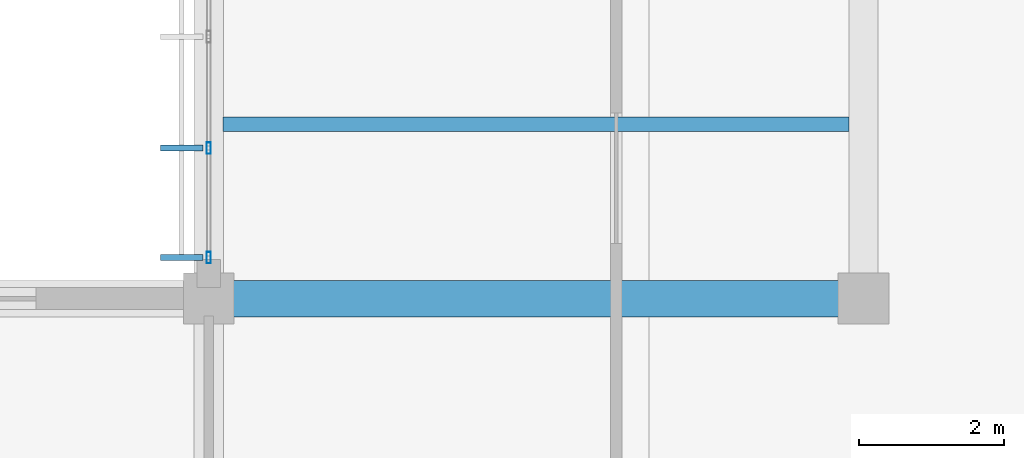
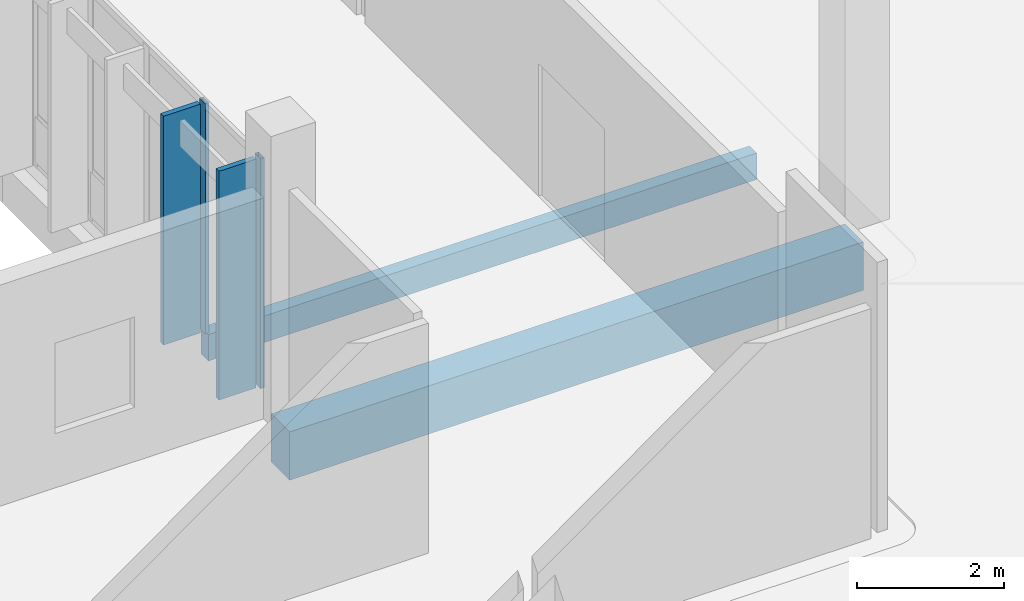
# One storey, part 87 of 177: 4 members, 2 beams, 1 element without a shape of its own.
"""IFC4 building model written with IfcOpenShell, lengths in metres."""

from ifc_helpers import new_model, si_unit, direction, frame, origin, origin_2d, place, context, subcontext, project, spatial, rectangle, hollow_rectangle, extrude, material, material_profile, profile_set, type_object, element, aggregate, save


model = new_model("IFC4")

# Units and contexts
model_context = context("Model", 3, precision=1e-05, world=origin(), true_north=direction((0.0, 1.0)))
body_context = subcontext(model_context, "Body", "Model", "MODEL_VIEW")
ifc_project = project(units=[si_unit("LENGTHUNIT", "METRE"), si_unit("AREAUNIT", "SQUARE_METRE"), si_unit("VOLUMEUNIT", "CUBIC_METRE"), si_unit("PLANEANGLEUNIT", "RADIAN"), si_unit("MASSUNIT", "GRAM", prefix="KILO")], contexts=[model_context])

# Site, building, storey
site_placement = place(None, origin())
site = spatial("IfcSite", under=ifc_project, at=site_placement, CompositionType="ELEMENT")
building_placement = place(site_placement, origin())
building = spatial("IfcBuilding", under=site, at=building_placement, Name="Chiffa Square Polytechnic", CompositionType="ELEMENT")
storey_placement = place(building_placement, frame((0.0, 0.0, 4.800048828125)))
storey = spatial("IfcBuildingStorey", under=building, at=storey_placement, Name="L01", CompositionType="ELEMENT", Elevation=4.800048828125)

# Beam
ifc_material_1 = material(Name="Concrete C40/50", Category="concrete")
ifc_material_profile_1 = material_profile(ifc_material_1, rectangle(XDim=0.5, YDim=0.800048828125, at=origin_2d()), Name="RC 500x800")
ifc_profile_set_1 = profile_set([ifc_material_profile_1], Name="Concrete C40/50")
beam_type_1 = type_object("IfcBeamType", Name="BM-RC-500X800", PredefinedType="BEAM", material=ifc_profile_set_1)
beam_1_placement = place(storey_placement, frame((148.199951171875, 28.800048828125, -0.679931640625), z_axis=(1.0, 0.0, 0.0), x_axis=(0.0, 1.0, 0.0)))
element("IfcBeam", 1, at=beam_1_placement, inside=storey, type_object=beam_type_1, Name="Primary floor girder BM-V1-L01-X-1482-0288", PredefinedType="BEAM", context=body_context, shape_type="SweptSolid", body=[
    extrude(rectangle(XDim=0.5, YDim=0.800048828125, at=origin_2d()), origin(), (0.0, 0.0, 1.0), 9.0),
])

# Curtain wall, members
ifc_material_2 = material(Name="Aluminium EN AW-6060 T66 and glulam shading", Category="wood")
curtain_wall_type = type_object("IfcCurtainWallType", Name="CW-VERT-450X440", PredefinedType="USERDEFINED", material=ifc_material_2)
curtain_wall_placement = place(storey_placement, origin())
curtain_wall = element("IfcCurtainWall", 2, at=curtain_wall_placement, inside=storey, type_object=curtain_wall_type, Name="Curtain wall CW-V1-L01-128", ObjectType="CURTAIN WALL", PredefinedType="USERDEFINED")
ifc_material_3 = material(Name="Aluminium EN AW-6060 T66", Category="aluminium")
ifc_material_profile_2 = material_profile(ifc_material_3, hollow_rectangle(XDim=0.06005859375, YDim=0.159912109375, WallThickness=0.00390625, at=origin_2d()), Name="ALU 60x160x4")
ifc_profile_set_2 = profile_set([ifc_material_profile_2], Name="Aluminium EN AW-6060 T66")
member_type_1 = type_object("IfcMemberType", Name="CWM-ALU-65X150", PredefinedType="MULLION", material=ifc_profile_set_2)
member_1_placement = place(storey_placement, frame((148.199951171875, 30.8701171875, 0.0), z_axis=(0.0, 0.0, 1.0), x_axis=(1.0, 0.0, 0.0)))
member_1 = element("IfcMember", 3, at=member_1_placement, type_object=member_type_1, Name="Curtain wall mullion CW-V1-L01-128-M03", PredefinedType="MULLION", context=body_context, shape_type="SweptSolid", body=[
    extrude(hollow_rectangle(XDim=0.06005859375, YDim=0.159912109375, WallThickness=0.00390625, at=origin_2d()), origin(), (0.0, 0.0, 1.0), 3.81494140625),
])
member_2_placement = place(storey_placement, frame((148.199951171875, 29.364990234375, 0.0), z_axis=(0.0, 0.0, 1.0), x_axis=(1.0, 0.0, 0.0)))
member_2 = element("IfcMember", 4, at=member_2_placement, type_object=member_type_1, Name="Curtain wall mullion CW-V1-L01-128-M04", PredefinedType="MULLION", context=body_context, shape_type="SweptSolid", body=[
    extrude(hollow_rectangle(XDim=0.06005859375, YDim=0.159912109375, WallThickness=0.00390625, at=origin_2d()), origin(), (0.0, 0.0, 1.0), 3.81494140625),
])
ifc_material_4 = material(Name="Glulam GL28h", Category="wood")
ifc_material_profile_3 = material_profile(ifc_material_4, rectangle(XDim=0.080078125, YDim=0.580078125, at=origin_2d()), Name="GL28h 80x580")
ifc_profile_set_3 = profile_set([ifc_material_profile_3], Name="Glulam GL28h")
member_type_2 = type_object("IfcMemberType", Name="CWM-GL-80X580", PredefinedType="MULLION", material=ifc_profile_set_3)
member_3_placement = place(storey_placement, frame((147.827880859375, 30.8701171875, 0.010009765625), z_axis=(0.0, 0.0, 1.0), x_axis=(0.0, -1.0, 0.0)))
member_3 = element("IfcMember", 5, at=member_3_placement, type_object=member_type_2, Name="Exterior glulam solar fin CW-V1-L01-128-FN03", PredefinedType="MULLION", context=body_context, shape_type="SweptSolid", body=[
    extrude(rectangle(XDim=0.080078125, YDim=0.580078125, at=origin_2d()), origin(), (0.0, 0.0, 1.0), 3.794921875),
])
member_4_placement = place(storey_placement, frame((147.827880859375, 29.364990234375, 0.010009765625), z_axis=(0.0, 0.0, 1.0), x_axis=(0.0, -1.0, 0.0)))
member_4 = element("IfcMember", 6, at=member_4_placement, type_object=member_type_2, Name="Exterior glulam solar fin CW-V1-L01-128-FN04", PredefinedType="MULLION", context=body_context, shape_type="SweptSolid", body=[
    extrude(rectangle(XDim=0.080078125, YDim=0.580078125, at=origin_2d()), origin(), (0.0, 0.0, 1.0), 3.794921875),
])
aggregate(curtain_wall, [member_1, member_3, member_2, member_4])

# Beam
ifc_material_profile_4 = material_profile(ifc_material_4, rectangle(XDim=0.199951171875, YDim=0.43994140625, at=origin_2d()), Name="GL28h 200x440")
ifc_profile_set_4 = profile_set([ifc_material_profile_4], Name="Glulam GL28h")
beam_type_2 = type_object("IfcBeamType", Name="JST-GL-200X440", PredefinedType="JOIST", material=ifc_profile_set_4)
beam_2_placement = place(storey_placement, frame((148.39794921875, 31.199951171875, -0.5), z_axis=(1.0, 0.0, 0.0), x_axis=(0.0, 1.0, 0.0)))
element("IfcBeam", 7, at=beam_2_placement, inside=storey, type_object=beam_type_2, Name="Secondary floor joist JST-V1-L01-1482-0312", PredefinedType="JOIST", context=body_context, shape_type="SweptSolid", body=[
    extrude(rectangle(XDim=0.199951171875, YDim=0.43994140625, at=origin_2d()), origin(), (0.0, 0.0, 1.0), 8.60400390625),
])

save(model, "model.ifc")
